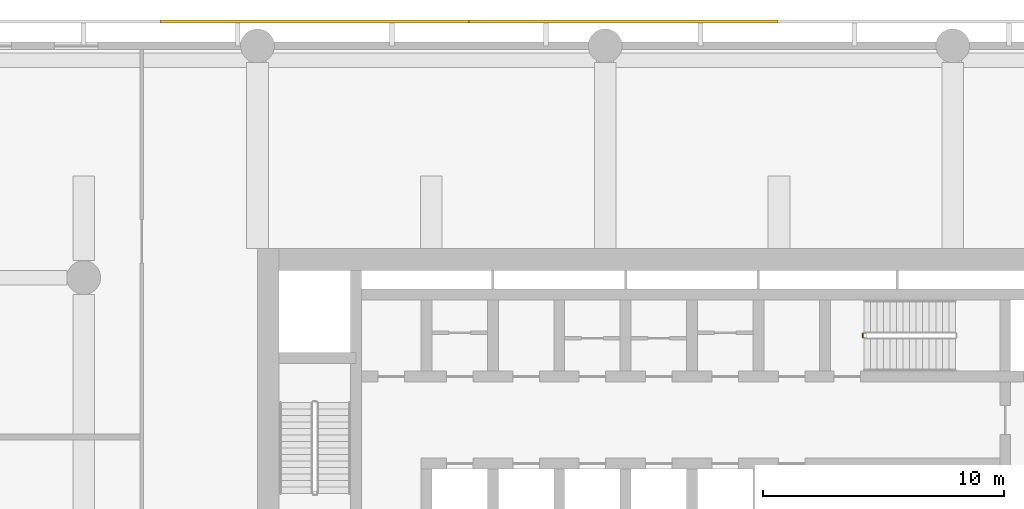
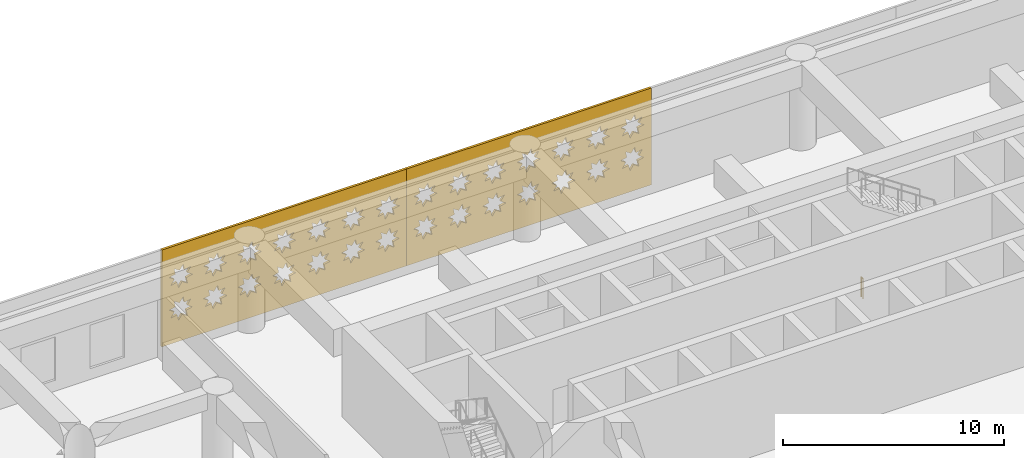
# One storey, part 22 of 24: 2 coverings, 1 railing.
"""IFC4 building model written with IfcOpenShell, lengths in metres."""

import ifcopenshell
import ifcopenshell.guid

model = None  # the IFC model being written
_history = None  # IfcOwnerHistory: only IFC2X3 demands one
_inside = {}  # id of a spatial element -> (the spatial element, [elements in it])
_under = {}  # id of a project, library or spatial element -> (it, [spatial elements below it])
_declared = {}  # id of a project -> (the project, [libraries it declares])
_typed = {}  # id of a type object -> (the type object, [elements of that type])
_made_of = {}  # id of a material, layer set ... -> (it, [elements and type objects made of it])


def new_model(schema):
    """Start an empty IFC model of exactly this schema.

    Asked for "IFC4X3", IfcOpenShell would pick the latest addendum, in which some entities
    have other attributes; the version numbers below select the first issue.
    IFC2X3 requires an IfcOwnerHistory on every rooted entity: one is made here for all.
    """
    global model, _history
    if schema == "IFC4X3":
        model = ifcopenshell.file(schema_version=(4, 3, 0, 0))
    else:
        model = ifcopenshell.file(schema=schema)
    _inside.clear()
    _under.clear()
    _declared.clear()
    _typed.clear()
    _made_of.clear()
    _history = None
    if model.schema == "IFC2X3":
        org = make("IfcOrganization", Name="unknown")
        user = make(
            "IfcPersonAndOrganization",
            ThePerson=make("IfcPerson", FamilyName="unknown"),
            TheOrganization=org,
        )
        app = make(
            "IfcApplication",
            ApplicationDeveloper=org,
            Version="unknown",
            ApplicationFullName="unknown",
            ApplicationIdentifier="unknown",
        )
        _history = make(
            "IfcOwnerHistory",
            OwningUser=user,
            OwningApplication=app,
            ChangeAction="ADDED",
            CreationDate=0,
        )
    return model


def make(cls, **values):
    """One entity of the class cls with the attributes given. An attribute that is None is left unset."""
    return model.create_entity(
        cls, **{name: value for name, value in values.items() if value is not None}
    )


def rooted(cls, **values):
    """An entity with a GlobalId (a new one), such as an element, a storey or a relation."""
    return make(cls, GlobalId=ifcopenshell.guid.new(), OwnerHistory=_history, **values)


def si_unit(unit_type, name, prefix=None):
    """IfcSIUnit, for example si_unit("LENGTHUNIT", "METRE", prefix="MILLI")."""
    return make("IfcSIUnit", UnitType=unit_type, Prefix=prefix, Name=name)


def assignment(units):
    """IfcUnitAssignment: the units of a project."""
    return None if units is None else make("IfcUnitAssignment", Units=units)


def point(xyz):
    """IfcCartesianPoint."""
    return None if xyz is None else make("IfcCartesianPoint", Coordinates=xyz)


def direction(xyz):
    """IfcDirection."""
    return None if xyz is None else make("IfcDirection", DirectionRatios=xyz)


def frame(location, z_axis=None, x_axis=None):
    """IfcAxis2Placement3D, a coordinate frame: its origin and axes. An axis left out is left unset."""
    return make(
        "IfcAxis2Placement3D",
        Location=point(location),
        Axis=direction(z_axis),
        RefDirection=direction(x_axis),
    )


def frame_2d(location, x_axis=None):
    """IfcAxis2Placement2D, a coordinate frame in the plane: its origin and x axis."""
    return make(
        "IfcAxis2Placement2D", Location=point(location), RefDirection=direction(x_axis)
    )


def origin():
    """The frame at (0, 0, 0) with its axes left unset."""
    return frame((0.0, 0.0, 0.0))


def origin_2d():
    """The frame at (0, 0) in the plane with its x axis left unset."""
    return frame_2d((0.0, 0.0))


def place(relative_to, where):
    """IfcLocalPlacement: puts the frame where relative to a parent placement (None: the world)."""
    return make(
        "IfcLocalPlacement", PlacementRelTo=relative_to, RelativePlacement=where
    )


def context(
    kind, dimensions, precision=None, world=None, true_north=None, identifier=None
):
    """IfcGeometricRepresentationContext, for example the 3D "Model" context."""
    return make(
        "IfcGeometricRepresentationContext",
        ContextIdentifier=identifier,
        ContextType=kind,
        CoordinateSpaceDimension=dimensions,
        Precision=precision,
        WorldCoordinateSystem=world,
        TrueNorth=true_north,
    )


def subcontext(parent, identifier, kind, view, scale=None):
    """IfcGeometricRepresentationSubContext, for example "Body" below "Model"."""
    return make(
        "IfcGeometricRepresentationSubContext",
        ContextIdentifier=identifier,
        ContextType=kind,
        ParentContext=parent,
        TargetScale=scale,
        TargetView=view,
    )


def project(units=None, contexts=None):
    """IfcProject with its units and contexts."""
    return rooted(
        "IfcProject",
        Name="project",
        RepresentationContexts=contexts,
        UnitsInContext=assignment(units),
    )


def spatial(cls, under=None, at=None, **own):
    """A site, building, storey or space (cls), placed at a placement, below another one or the project."""
    s = rooted(cls, ObjectPlacement=at, **own)
    if under is not None:
        _under.setdefault(under.id(), (under, []))[1].append(s)
    return s


def polyline(points):
    """IfcPolyline through the points."""
    return make("IfcPolyline", Points=[point(p) for p in points])


def profile(cls, at=None, kind="AREA", **sizes):
    """A parametric profile (cls). Its sizes go by their IFC names, for example OverallWidth=200.0."""
    return make(cls, ProfileType=kind, Position=at, **sizes)


def circle(**sizes):
    """IfcCircleProfileDef."""
    return profile("IfcCircleProfileDef", **sizes)


def outline(outer, holes=None, kind="AREA"):
    """IfcArbitraryClosedProfileDef: a profile drawn as a closed curve; with holes, ...WithVoids."""
    if holes is None:
        return make("IfcArbitraryClosedProfileDef", ProfileType=kind, OuterCurve=outer)
    return make(
        "IfcArbitraryProfileDefWithVoids",
        ProfileType=kind,
        OuterCurve=outer,
        InnerCurves=holes,
    )


def extrude(swept, where, along, depth):
    """IfcExtrudedAreaSolid: the profile swept, set in the frame where, extruded along a direction by depth."""
    return make(
        "IfcExtrudedAreaSolid",
        SweptArea=swept,
        Position=where,
        ExtrudedDirection=direction(along),
        Depth=depth,
    )


def shape(context_of_items, identifier, shape_type, items):
    """IfcShapeRepresentation: the items that make up one representation, for example the "Body"."""
    return make(
        "IfcShapeRepresentation",
        ContextOfItems=context_of_items,
        RepresentationIdentifier=identifier,
        RepresentationType=shape_type,
        Items=items,
    )


def material(Name=None, Category=None):
    """IfcMaterial."""
    return make("IfcMaterial", Name=Name, Category=Category)


def layer(
    of_material, thickness, ventilated=None, Name=None, Category=None, Priority=None
):
    """IfcMaterialLayer: one layer of a wall or slab, of a material (None: an air gap)."""
    return make(
        "IfcMaterialLayer",
        Material=of_material,
        LayerThickness=thickness,
        IsVentilated=ventilated,
        Name=Name,
        Category=Category,
        Priority=Priority,
    )


def layer_set(layers, Name=None):
    """IfcMaterialLayerSet."""
    return make("IfcMaterialLayerSet", MaterialLayers=layers, LayerSetName=Name)


def made_of(thing, what):
    """Note that an element or type object is made of a material, layer set ...; save() writes the relation."""
    if what is not None:
        _made_of.setdefault(what.id(), (what, []))[1].append(thing)
    return thing


def type_object(cls, material=None, **own):
    """A type object (cls), such as IfcWallType, which elements share."""
    return made_of(rooted(cls, **own), material)


def element(
    cls,
    number,
    at=None,
    inside=None,
    cuts=None,
    type_object=None,
    material=None,
    context=None,
    identifier="Body",
    shape_type=None,
    held_by="IfcProductDefinitionShape",
    body=None,
    shapes=None,
    **own,
):
    """One element of the class cls, such as IfcWall. Its Tag is "e" and its number.

    at: its placement. inside: the storey or other place that contains it. cuts: it is an
    opening in that element (IfcRelVoidsElement). A single representation is given by context,
    identifier, shape_type and body (its items); several are given by shapes. held_by: the class
    of the entity that holds the representations. save() writes the other relations.
    """
    e = rooted(cls, Tag="e%d" % number, ObjectPlacement=at, **own)
    if body is not None:
        shapes = [shape(context, identifier, shape_type, body)]
    if shapes is not None:
        e.Representation = make(held_by, Representations=shapes)
    if inside is not None:
        _inside.setdefault(inside.id(), (inside, []))[1].append(e)
    if cuts is not None:
        rooted(
            "IfcRelVoidsElement", RelatingBuildingElement=cuts, RelatedOpeningElement=e
        )
    if type_object is not None:
        _typed.setdefault(type_object.id(), (type_object, []))[1].append(e)
    return made_of(e, material)


def aggregate(whole, parts):
    """IfcRelAggregates: a whole, such as a stair, and the parts it consists of."""
    return rooted("IfcRelAggregates", RelatingObject=whole, RelatedObjects=parts)


def save(model, path):
    """Write the relations noted so far, then the file.

    IfcRelAggregates (storeys below a building ...), IfcRelContainedInSpatialStructure (elements
    in a storey), IfcRelDefinesByType, IfcRelAssociatesMaterial and IfcRelDeclares: one each for
    every whole, place, type object, material and project.
    """
    for whole, parts in _under.values():
        aggregate(whole, parts)
    for where, things in _inside.values():
        rooted(
            "IfcRelContainedInSpatialStructure",
            RelatedElements=things,
            RelatingStructure=where,
        )
    for kind, things in _typed.values():
        rooted("IfcRelDefinesByType", RelatedObjects=things, RelatingType=kind)
    for what, things in _made_of.values():
        rooted("IfcRelAssociatesMaterial", RelatedObjects=things, RelatingMaterial=what)
    for by, libraries in _declared.values():
        rooted("IfcRelDeclares", RelatingContext=by, RelatedDefinitions=libraries)
    model.write(path)


model = new_model("IFC4")

# Units and contexts
model_context = context("Model", 3, precision=1e-05, world=origin(), true_north=direction((0.0, 1.0)))
body_context = subcontext(model_context, "Body", "Model", "MODEL_VIEW")
ifc_project = project(units=[si_unit("LENGTHUNIT", "METRE"), si_unit("AREAUNIT", "SQUARE_METRE"), si_unit("VOLUMEUNIT", "CUBIC_METRE"), si_unit("PLANEANGLEUNIT", "RADIAN"), si_unit("MASSUNIT", "GRAM", prefix="KILO")], contexts=[model_context])

# Site, building, storey
site_placement = place(None, origin())
site = spatial("IfcSite", under=ifc_project, at=site_placement, CompositionType="ELEMENT")
building_placement = place(site_placement, origin())
building = spatial("IfcBuilding", under=site, at=building_placement, Name="Saffron Iwan Residences", CompositionType="ELEMENT")
storey_placement = place(building_placement, frame((0.0, 0.0, 21.60009765625)))
storey = spatial("IfcBuildingStorey", under=building, at=storey_placement, Name="L04", CompositionType="ELEMENT", Elevation=21.60009765625)

# Coverings
ifc_material_1 = material(Name="Terracotta screen, precast concrete C40/50", Category="masonry")
ifc_layer = layer(ifc_material_1, 0.1201171875)
ifc_layer_set = layer_set([ifc_layer], Name="Terracotta screen, precast concrete C40/50")
covering_type = type_object("IfcCoveringType", Name="PODIUM SCREEN GIRIH", PredefinedType="CLADDING", material=ifc_layer_set)
covering_1_placement = place(storey_placement, frame((50.340087890625, 87.35009765625, -0.400146484375), z_axis=(0.0, 1.0, 0.0), x_axis=(-1.0, 0.0, 0.0)))
element("IfcCovering", 1, at=covering_1_placement, inside=storey, type_object=covering_type, Name="SCREEN girih terracotta L04 F2.4", PredefinedType="CLADDING", context=body_context, shape_type="SweptSolid", body=[
    extrude(outline(polyline([(0.0, 0.0), (12.777587890625, 0.0), (12.777587890625, 5.35009765625), (0.0, 5.35009765625), (0.0, 0.0)]), holes=[polyline([(1.5966796875, 1.89599609375), (1.271484375, 1.9638671875), (1.333251953125, 2.29052734375), (1.05517578125, 2.1083984375), (0.867919921875, 2.383056640625), (0.7998046875, 2.0576171875), (0.47314453125, 2.119384765625), (0.6552734375, 1.84130859375), (0.380615234375, 1.654052734375), (0.7060546875, 1.586181640625), (0.644287109375, 1.259521484375), (0.92236328125, 1.44140625), (1.109619140625, 1.1669921875), (1.177490234375, 1.4921875), (1.50439453125, 1.430419921875), (1.322265625, 1.708740234375), (1.5966796875, 1.89599609375)]), polyline([(1.5966796875, 3.696044921875), (1.271484375, 3.763916015625), (1.333251953125, 4.090576171875), (1.05517578125, 3.908447265625), (0.867919921875, 4.18310546875), (0.7998046875, 3.857666015625), (0.47314453125, 3.91943359375), (0.6552734375, 3.641357421875), (0.380615234375, 3.4541015625), (0.7060546875, 3.385986328125), (0.644287109375, 3.0595703125), (0.92236328125, 3.241455078125), (1.109619140625, 2.966796875), (1.177490234375, 3.292236328125), (1.50439453125, 3.23046875), (1.322265625, 3.5087890625), (1.5966796875, 3.696044921875)]), polyline([(3.396728515625, 1.89599609375), (3.0712890625, 1.9638671875), (3.13330078125, 2.29052734375), (2.85498046875, 2.1083984375), (2.667724609375, 2.383056640625), (2.599853515625, 2.0576171875), (2.273193359375, 2.119384765625), (2.455322265625, 1.84130859375), (2.1806640625, 1.654052734375), (2.506103515625, 1.586181640625), (2.4443359375, 1.259521484375), (2.722412109375, 1.44140625), (2.90966796875, 1.1669921875), (2.9775390625, 1.4921875), (3.30419921875, 1.430419921875), (3.122314453125, 1.708740234375), (3.396728515625, 1.89599609375)]), polyline([(3.396728515625, 3.696044921875), (3.0712890625, 3.763916015625), (3.13330078125, 4.090576171875), (2.85498046875, 3.908447265625), (2.667724609375, 4.18310546875), (2.599853515625, 3.857666015625), (2.273193359375, 3.91943359375), (2.455322265625, 3.641357421875), (2.1806640625, 3.4541015625), (2.506103515625, 3.385986328125), (2.4443359375, 3.0595703125), (2.722412109375, 3.241455078125), (2.90966796875, 2.966796875), (2.9775390625, 3.292236328125), (3.30419921875, 3.23046875), (3.122314453125, 3.5087890625), (3.396728515625, 3.696044921875)]), polyline([(5.19677734375, 1.89599609375), (4.871337890625, 1.9638671875), (4.93310546875, 2.29052734375), (4.655029296875, 2.1083984375), (4.4677734375, 2.383056640625), (4.39990234375, 2.0576171875), (4.0732421875, 2.119384765625), (4.25537109375, 1.84130859375), (3.980712890625, 1.654052734375), (4.30615234375, 1.586181640625), (4.244384765625, 1.259521484375), (4.5224609375, 1.44140625), (4.709716796875, 1.1669921875), (4.777587890625, 1.4921875), (5.104248046875, 1.430419921875), (4.922119140625, 1.708740234375), (5.19677734375, 1.89599609375)]), polyline([(5.19677734375, 3.696044921875), (4.871337890625, 3.763916015625), (4.93310546875, 4.090576171875), (4.655029296875, 3.908447265625), (4.4677734375, 4.18310546875), (4.39990234375, 3.857666015625), (4.0732421875, 3.91943359375), (4.25537109375, 3.641357421875), (3.980712890625, 3.4541015625), (4.30615234375, 3.385986328125), (4.244384765625, 3.0595703125), (4.5224609375, 3.241455078125), (4.709716796875, 2.966796875), (4.777587890625, 3.292236328125), (5.104248046875, 3.23046875), (4.922119140625, 3.5087890625), (5.19677734375, 3.696044921875)]), polyline([(6.996826171875, 1.89599609375), (6.67138671875, 1.9638671875), (6.733154296875, 2.29052734375), (6.455078125, 2.1083984375), (6.267822265625, 2.383056640625), (6.199951171875, 2.0576171875), (5.873291015625, 2.119384765625), (6.055419921875, 1.84130859375), (5.78076171875, 1.654052734375), (6.106201171875, 1.586181640625), (6.044189453125, 1.259521484375), (6.322509765625, 1.44140625), (6.509765625, 1.1669921875), (6.57763671875, 1.4921875), (6.904296875, 1.430419921875), (6.72216796875, 1.708740234375), (6.996826171875, 1.89599609375)]), polyline([(6.996826171875, 3.696044921875), (6.67138671875, 3.763916015625), (6.733154296875, 4.090576171875), (6.455078125, 3.908447265625), (6.267822265625, 4.18310546875), (6.199951171875, 3.857666015625), (5.873291015625, 3.91943359375), (6.055419921875, 3.641357421875), (5.78076171875, 3.4541015625), (6.106201171875, 3.385986328125), (6.044189453125, 3.0595703125), (6.322509765625, 3.241455078125), (6.509765625, 2.966796875), (6.57763671875, 3.292236328125), (6.904296875, 3.23046875), (6.72216796875, 3.5087890625), (6.996826171875, 3.696044921875)]), polyline([(8.796875, 1.89599609375), (8.471435546875, 1.9638671875), (8.533203125, 2.29052734375), (8.255126953125, 2.1083984375), (8.06787109375, 2.383056640625), (8.0, 2.0576171875), (7.673095703125, 2.119384765625), (7.855224609375, 1.84130859375), (7.580810546875, 1.654052734375), (7.906005859375, 1.586181640625), (7.84423828125, 1.259521484375), (8.122314453125, 1.44140625), (8.309814453125, 1.1669921875), (8.377685546875, 1.4921875), (8.704345703125, 1.430419921875), (8.522216796875, 1.708740234375), (8.796875, 1.89599609375)]), polyline([(8.796875, 3.696044921875), (8.471435546875, 3.763916015625), (8.533203125, 4.090576171875), (8.255126953125, 3.908447265625), (8.06787109375, 4.18310546875), (8.0, 3.857666015625), (7.673095703125, 3.91943359375), (7.855224609375, 3.641357421875), (7.580810546875, 3.4541015625), (7.906005859375, 3.385986328125), (7.84423828125, 3.0595703125), (8.122314453125, 3.241455078125), (8.309814453125, 2.966796875), (8.377685546875, 3.292236328125), (8.704345703125, 3.23046875), (8.522216796875, 3.5087890625), (8.796875, 3.696044921875)]), polyline([(10.5966796875, 1.89599609375), (10.271484375, 1.9638671875), (10.333251953125, 2.29052734375), (10.05517578125, 2.1083984375), (9.867919921875, 2.383056640625), (9.7998046875, 2.0576171875), (9.47314453125, 2.119384765625), (9.6552734375, 1.84130859375), (9.380615234375, 1.654052734375), (9.7060546875, 1.586181640625), (9.644287109375, 1.259521484375), (9.92236328125, 1.44140625), (10.109619140625, 1.1669921875), (10.177490234375, 1.4921875), (10.50439453125, 1.430419921875), (10.322265625, 1.708740234375), (10.5966796875, 1.89599609375)]), polyline([(10.5966796875, 3.696044921875), (10.271484375, 3.763916015625), (10.333251953125, 4.090576171875), (10.05517578125, 3.908447265625), (9.867919921875, 4.18310546875), (9.7998046875, 3.857666015625), (9.47314453125, 3.91943359375), (9.6552734375, 3.641357421875), (9.380615234375, 3.4541015625), (9.7060546875, 3.385986328125), (9.644287109375, 3.0595703125), (9.92236328125, 3.241455078125), (10.109619140625, 2.966796875), (10.177490234375, 3.292236328125), (10.50439453125, 3.23046875), (10.322265625, 3.5087890625), (10.5966796875, 3.696044921875)]), polyline([(12.396728515625, 1.89599609375), (12.0712890625, 1.9638671875), (12.13330078125, 2.29052734375), (11.85498046875, 2.1083984375), (11.667724609375, 2.383056640625), (11.599853515625, 2.0576171875), (11.273193359375, 2.119384765625), (11.455322265625, 1.84130859375), (11.1806640625, 1.654052734375), (11.506103515625, 1.586181640625), (11.4443359375, 1.259521484375), (11.722412109375, 1.44140625), (11.90966796875, 1.1669921875), (11.9775390625, 1.4921875), (12.30419921875, 1.430419921875), (12.122314453125, 1.708740234375), (12.396728515625, 1.89599609375)]), polyline([(12.396728515625, 3.696044921875), (12.0712890625, 3.763916015625), (12.13330078125, 4.090576171875), (11.85498046875, 3.908447265625), (11.667724609375, 4.18310546875), (11.599853515625, 3.857666015625), (11.273193359375, 3.91943359375), (11.455322265625, 3.641357421875), (11.1806640625, 3.4541015625), (11.506103515625, 3.385986328125), (11.4443359375, 3.0595703125), (11.722412109375, 3.241455078125), (11.90966796875, 2.966796875), (11.9775390625, 3.292236328125), (12.30419921875, 3.23046875), (12.122314453125, 3.5087890625), (12.396728515625, 3.696044921875)])]), origin(), (0.0, 0.0, 1.0), 0.119873046875),
])
covering_2_placement = place(storey_placement, frame((37.5625, 87.35009765625, -0.400146484375), z_axis=(0.0, 1.0, 0.0), x_axis=(-1.0, 0.0, 0.0)))
element("IfcCovering", 2, at=covering_2_placement, inside=storey, type_object=covering_type, Name="SCREEN girih terracotta L04 F2.5", PredefinedType="CLADDING", context=body_context, shape_type="SweptSolid", body=[
    extrude(outline(polyline([(0.0, 0.0), (12.777587890625, 0.0), (12.777587890625, 5.35009765625), (0.0, 5.35009765625), (0.0, 0.0)]), holes=[polyline([(1.5966796875, 1.89599609375), (1.271484375, 1.9638671875), (1.333251953125, 2.29052734375), (1.05517578125, 2.1083984375), (0.867919921875, 2.383056640625), (0.7998046875, 2.0576171875), (0.47314453125, 2.119384765625), (0.6552734375, 1.84130859375), (0.380615234375, 1.654052734375), (0.7060546875, 1.586181640625), (0.644287109375, 1.259521484375), (0.92236328125, 1.44140625), (1.109619140625, 1.1669921875), (1.177490234375, 1.4921875), (1.50439453125, 1.430419921875), (1.322265625, 1.708740234375), (1.5966796875, 1.89599609375)]), polyline([(1.5966796875, 3.696044921875), (1.271484375, 3.763916015625), (1.333251953125, 4.090576171875), (1.05517578125, 3.908447265625), (0.867919921875, 4.18310546875), (0.7998046875, 3.857666015625), (0.47314453125, 3.91943359375), (0.6552734375, 3.641357421875), (0.380615234375, 3.4541015625), (0.7060546875, 3.385986328125), (0.644287109375, 3.0595703125), (0.92236328125, 3.241455078125), (1.109619140625, 2.966796875), (1.177490234375, 3.292236328125), (1.50439453125, 3.23046875), (1.322265625, 3.5087890625), (1.5966796875, 3.696044921875)]), polyline([(3.396728515625, 1.89599609375), (3.0712890625, 1.9638671875), (3.13330078125, 2.29052734375), (2.85498046875, 2.1083984375), (2.667724609375, 2.383056640625), (2.599853515625, 2.0576171875), (2.273193359375, 2.119384765625), (2.455322265625, 1.84130859375), (2.1806640625, 1.654052734375), (2.506103515625, 1.586181640625), (2.4443359375, 1.259521484375), (2.722412109375, 1.44140625), (2.90966796875, 1.1669921875), (2.9775390625, 1.4921875), (3.30419921875, 1.430419921875), (3.122314453125, 1.708740234375), (3.396728515625, 1.89599609375)]), polyline([(3.396728515625, 3.696044921875), (3.0712890625, 3.763916015625), (3.13330078125, 4.090576171875), (2.85498046875, 3.908447265625), (2.667724609375, 4.18310546875), (2.599853515625, 3.857666015625), (2.273193359375, 3.91943359375), (2.455322265625, 3.641357421875), (2.1806640625, 3.4541015625), (2.506103515625, 3.385986328125), (2.4443359375, 3.0595703125), (2.722412109375, 3.241455078125), (2.90966796875, 2.966796875), (2.9775390625, 3.292236328125), (3.30419921875, 3.23046875), (3.122314453125, 3.5087890625), (3.396728515625, 3.696044921875)]), polyline([(5.19677734375, 1.89599609375), (4.871337890625, 1.9638671875), (4.93310546875, 2.29052734375), (4.655029296875, 2.1083984375), (4.4677734375, 2.383056640625), (4.39990234375, 2.0576171875), (4.0732421875, 2.119384765625), (4.25537109375, 1.84130859375), (3.980712890625, 1.654052734375), (4.30615234375, 1.586181640625), (4.244384765625, 1.259521484375), (4.5224609375, 1.44140625), (4.709716796875, 1.1669921875), (4.777587890625, 1.4921875), (5.104248046875, 1.430419921875), (4.922119140625, 1.708740234375), (5.19677734375, 1.89599609375)]), polyline([(5.19677734375, 3.696044921875), (4.871337890625, 3.763916015625), (4.93310546875, 4.090576171875), (4.655029296875, 3.908447265625), (4.4677734375, 4.18310546875), (4.39990234375, 3.857666015625), (4.0732421875, 3.91943359375), (4.25537109375, 3.641357421875), (3.980712890625, 3.4541015625), (4.30615234375, 3.385986328125), (4.244384765625, 3.0595703125), (4.5224609375, 3.241455078125), (4.709716796875, 2.966796875), (4.777587890625, 3.292236328125), (5.104248046875, 3.23046875), (4.922119140625, 3.5087890625), (5.19677734375, 3.696044921875)]), polyline([(6.996826171875, 1.89599609375), (6.67138671875, 1.9638671875), (6.733154296875, 2.29052734375), (6.455078125, 2.1083984375), (6.267822265625, 2.383056640625), (6.199951171875, 2.0576171875), (5.873291015625, 2.119384765625), (6.055419921875, 1.84130859375), (5.78076171875, 1.654052734375), (6.106201171875, 1.586181640625), (6.044189453125, 1.259521484375), (6.322509765625, 1.44140625), (6.509765625, 1.1669921875), (6.57763671875, 1.4921875), (6.904296875, 1.430419921875), (6.72216796875, 1.708740234375), (6.996826171875, 1.89599609375)]), polyline([(6.996826171875, 3.696044921875), (6.67138671875, 3.763916015625), (6.733154296875, 4.090576171875), (6.455078125, 3.908447265625), (6.267822265625, 4.18310546875), (6.199951171875, 3.857666015625), (5.873291015625, 3.91943359375), (6.055419921875, 3.641357421875), (5.78076171875, 3.4541015625), (6.106201171875, 3.385986328125), (6.044189453125, 3.0595703125), (6.322509765625, 3.241455078125), (6.509765625, 2.966796875), (6.57763671875, 3.292236328125), (6.904296875, 3.23046875), (6.72216796875, 3.5087890625), (6.996826171875, 3.696044921875)]), polyline([(8.796875, 1.89599609375), (8.471435546875, 1.9638671875), (8.533203125, 2.29052734375), (8.255126953125, 2.1083984375), (8.06787109375, 2.383056640625), (8.0, 2.0576171875), (7.673095703125, 2.119384765625), (7.855224609375, 1.84130859375), (7.580810546875, 1.654052734375), (7.906005859375, 1.586181640625), (7.84423828125, 1.259521484375), (8.122314453125, 1.44140625), (8.309814453125, 1.1669921875), (8.377685546875, 1.4921875), (8.704345703125, 1.430419921875), (8.522216796875, 1.708740234375), (8.796875, 1.89599609375)]), polyline([(8.796875, 3.696044921875), (8.471435546875, 3.763916015625), (8.533203125, 4.090576171875), (8.255126953125, 3.908447265625), (8.06787109375, 4.18310546875), (8.0, 3.857666015625), (7.673095703125, 3.91943359375), (7.855224609375, 3.641357421875), (7.580810546875, 3.4541015625), (7.906005859375, 3.385986328125), (7.84423828125, 3.0595703125), (8.122314453125, 3.241455078125), (8.309814453125, 2.966796875), (8.377685546875, 3.292236328125), (8.704345703125, 3.23046875), (8.522216796875, 3.5087890625), (8.796875, 3.696044921875)]), polyline([(10.5966796875, 1.89599609375), (10.271484375, 1.9638671875), (10.333251953125, 2.29052734375), (10.05517578125, 2.1083984375), (9.867919921875, 2.383056640625), (9.7998046875, 2.0576171875), (9.47314453125, 2.119384765625), (9.6552734375, 1.84130859375), (9.380615234375, 1.654052734375), (9.7060546875, 1.586181640625), (9.644287109375, 1.259521484375), (9.92236328125, 1.44140625), (10.109619140625, 1.1669921875), (10.177490234375, 1.4921875), (10.50439453125, 1.430419921875), (10.322265625, 1.708740234375), (10.5966796875, 1.89599609375)]), polyline([(10.5966796875, 3.696044921875), (10.271484375, 3.763916015625), (10.333251953125, 4.090576171875), (10.05517578125, 3.908447265625), (9.867919921875, 4.18310546875), (9.7998046875, 3.857666015625), (9.47314453125, 3.91943359375), (9.6552734375, 3.641357421875), (9.380615234375, 3.4541015625), (9.7060546875, 3.385986328125), (9.644287109375, 3.0595703125), (9.92236328125, 3.241455078125), (10.109619140625, 2.966796875), (10.177490234375, 3.292236328125), (10.50439453125, 3.23046875), (10.322265625, 3.5087890625), (10.5966796875, 3.696044921875)]), polyline([(12.396728515625, 1.89599609375), (12.0712890625, 1.9638671875), (12.13330078125, 2.29052734375), (11.85498046875, 2.1083984375), (11.667724609375, 2.383056640625), (11.599853515625, 2.0576171875), (11.273193359375, 2.119384765625), (11.455322265625, 1.84130859375), (11.1806640625, 1.654052734375), (11.506103515625, 1.586181640625), (11.4443359375, 1.259521484375), (11.722412109375, 1.44140625), (11.90966796875, 1.1669921875), (11.9775390625, 1.4921875), (12.30419921875, 1.430419921875), (12.122314453125, 1.708740234375), (12.396728515625, 1.89599609375)]), polyline([(12.396728515625, 3.696044921875), (12.0712890625, 3.763916015625), (12.13330078125, 4.090576171875), (11.85498046875, 3.908447265625), (11.667724609375, 4.18310546875), (11.599853515625, 3.857666015625), (11.273193359375, 3.91943359375), (11.455322265625, 3.641357421875), (11.1806640625, 3.4541015625), (11.506103515625, 3.385986328125), (11.4443359375, 3.0595703125), (11.722412109375, 3.241455078125), (11.90966796875, 2.966796875), (11.9775390625, 3.292236328125), (12.30419921875, 3.23046875), (12.122314453125, 3.5087890625), (12.396728515625, 3.696044921875)])]), origin(), (0.0, 0.0, 1.0), 0.119873046875),
])

# Railing
ifc_material_2 = material(Name="Steel S355", Category="steel")
railing_type = type_object("IfcRailingType", Name="Stair guard 1100", PredefinedType="GUARDRAIL", material=ifc_material_2)
railing_placement = place(storey_placement, frame((53.875, 74.324951171875, 0.0)))
element("IfcRailing", 3, at=railing_placement, inside=storey, type_object=railing_type, Name="L04 ST-C stair guard 2", PredefinedType="GUARDRAIL", context=body_context, shape_type="SweptSolid", body=[
    extrude(circle(Radius=0.02392578125, at=origin_2d()), frame((0.0, 0.0, 1.076171875), z_axis=(0.0, 1.0, 0.0), x_axis=(-1.0, 0.0, 0.0)), (0.0, 0.0, 1.0), 0.150146484375),
    extrude(circle(Radius=0.02099609375, at=origin_2d()), origin(), (0.0, 0.0, 1.0), 1.052001953125),
    extrude(circle(Radius=0.02099609375, at=origin_2d()), frame((0.0, 0.150146484375, 0.0)), (0.0, 0.0, 1.0), 1.052001953125),
])

save(model, "model.ifc")
